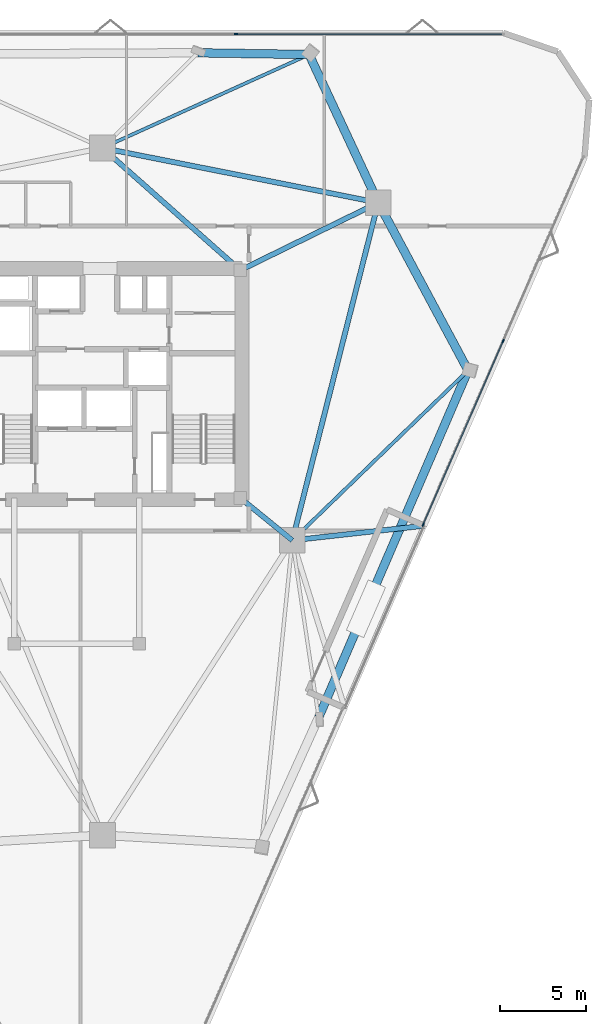
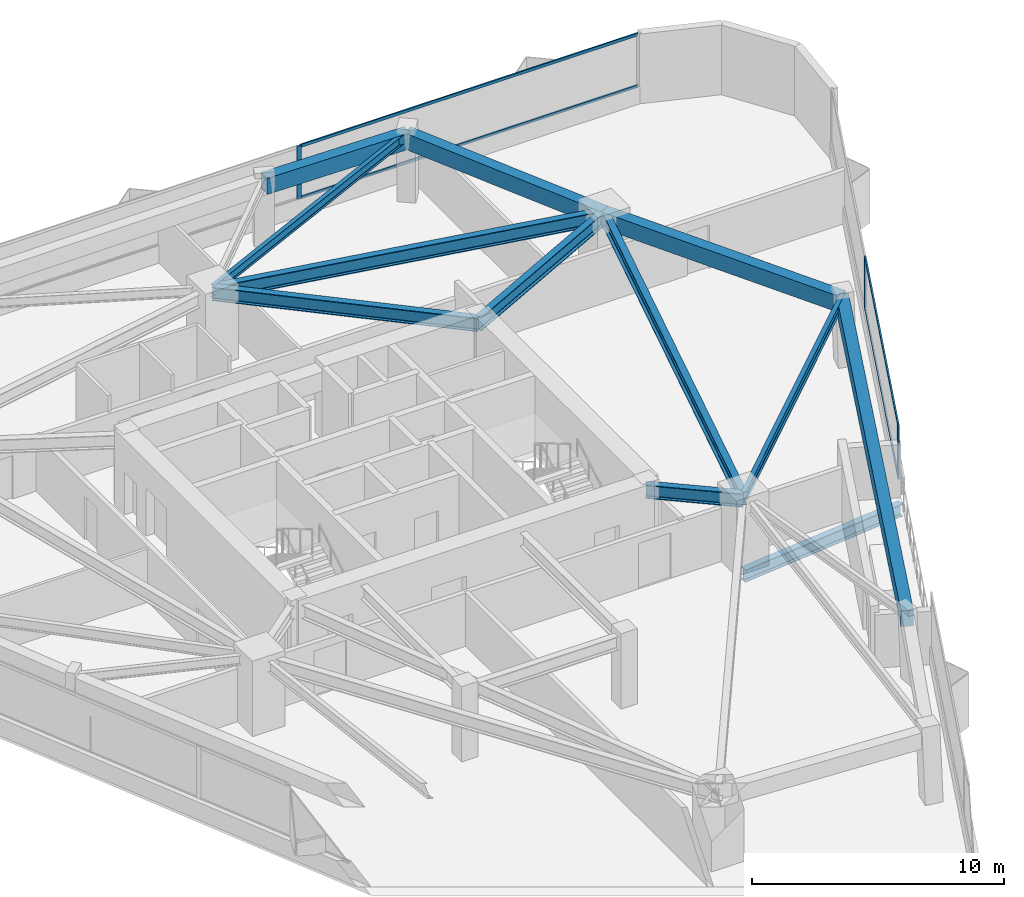
# One storey, part 6 of 11: 12 beams, 7 members, 2 elements without a shape of their own.
"""IFC4 building model written with IfcOpenShell, lengths in metres."""

from ifc_helpers import new_model, si_unit, direction, frame, origin, origin_2d, place, context, subcontext, project, spatial, rectangle, i_section, extrude, material, layer, layer_set, material_profile, profile_set, type_object, element, aggregate, save


model = new_model("IFC4")

# Units and contexts
model_context = context("Model", 3, precision=1e-05, world=origin(), true_north=direction((0.0, 1.0)))
body_context = subcontext(model_context, "Body", "Model", "MODEL_VIEW")
ifc_project = project(units=[si_unit("LENGTHUNIT", "METRE"), si_unit("AREAUNIT", "SQUARE_METRE"), si_unit("VOLUMEUNIT", "CUBIC_METRE"), si_unit("PLANEANGLEUNIT", "RADIAN"), si_unit("MASSUNIT", "GRAM", prefix="KILO")], contexts=[model_context])

# Site, building, storey
site_placement = place(None, origin())
site = spatial("IfcSite", under=ifc_project, at=site_placement, CompositionType="ELEMENT")
building_placement = place(site_placement, origin())
building = spatial("IfcBuilding", under=site, at=building_placement, Name="Talyreon Biosciences Tower", CompositionType="ELEMENT")
storey_placement = place(building_placement, frame((0.0, 0.0, 149.10009765625)))
storey = spatial("IfcBuildingStorey", under=building, at=storey_placement, Name="L39", CompositionType="ELEMENT", Elevation=149.10009765625)

# Curtain wall, member
ifc_material_1 = material(Name="Thermally broken aluminium and low-E glazing", Category="aluminium")
ifc_layer = layer(ifc_material_1, 0.205078125)
ifc_layer_set = layer_set([ifc_layer], Name="Thermally broken aluminium and low-E glazing")
curtain_wall_type = type_object("IfcCurtainWallType", Name="CurtainWall_SkyGardenLoggia", PredefinedType="NOTDEFINED", material=ifc_layer_set)
curtain_wall_1_placement = place(storey_placement, origin())
curtain_wall_1 = element("IfcCurtainWall", 1, at=curtain_wall_1_placement, inside=storey, type_object=curtain_wall_type, Name="L39 Unitised Curtain Wall FCW-L39-03", PredefinedType="NOTDEFINED")
ifc_material_2 = material(Name="Anodised thermally broken aluminium", Category="aluminium")
ifc_material_profile_1 = material_profile(ifc_material_2, rectangle(XDim=0.074951171875, YDim=0.2099609375, at=origin_2d()), Name="ALUM MULLION 75x210")
ifc_profile_set_1 = profile_set([ifc_material_profile_1], Name="Anodised thermally broken aluminium")
member_type_1 = type_object("IfcMemberType", Name="CWMullion_75x210", PredefinedType="MULLION", material=ifc_profile_set_1)
member_1_placement = place(storey_placement, frame((73.79736328125, 88.439453125, 0.809814453125), z_axis=(0.0, 0.0, 1.0), x_axis=(0.0, 1.0, 0.0)))
member_1 = element("IfcMember", 2, at=member_1_placement, type_object=member_type_1, Name="CW7 mullion 3", PredefinedType="MULLION", context=body_context, shape_type="SweptSolid", body=[
    extrude(rectangle(XDim=0.074951171875, YDim=0.2099609375, at=origin_2d()), origin(), (0.0, 0.0, 1.0), 2.565185546875),
])

# Curtain wall, members
curtain_wall_2_placement = place(storey_placement, origin())
curtain_wall_2 = element("IfcCurtainWall", 3, at=curtain_wall_2_placement, inside=storey, type_object=curtain_wall_type, Name="L39 Unitised Curtain Wall FCW-L39-07", PredefinedType="NOTDEFINED")
member_2_placement = place(storey_placement, frame((89.396728515625, 70.51953125, 0.809814453125), z_axis=(0.0, 0.0, 1.0), x_axis=(0.916646919811, -0.399697916434, 0.0)))
member_2 = element("IfcMember", 4, at=member_2_placement, type_object=member_type_1, Name="CW7 mullion 2", PredefinedType="MULLION", context=body_context, shape_type="SweptSolid", body=[
    extrude(rectangle(XDim=0.074951171875, YDim=0.2099609375, at=origin_2d()), origin(), (0.0, 0.0, 1.0), 2.565185546875),
])
member_3_placement = place(storey_placement, frame((84.72265625, 59.800537109375, 0.809814453125), z_axis=(0.0, 0.0, 1.0), x_axis=(0.916646919811, -0.399697916434, 0.0)))
member_3 = element("IfcMember", 5, at=member_3_placement, type_object=member_type_1, Name="CW7 mullion 3", PredefinedType="MULLION", context=body_context, shape_type="SweptSolid", body=[
    extrude(rectangle(XDim=0.074951171875, YDim=0.2099609375, at=origin_2d()), origin(), (0.0, 0.0, 1.0), 2.565185546875),
])

# Member
ifc_material_profile_2 = material_profile(ifc_material_2, rectangle(XDim=0.06494140625, YDim=0.139892578125, at=origin_2d()), Name="ALUM TRANSOM 65x140")
ifc_profile_set_2 = profile_set([ifc_material_profile_2], Name="Anodised thermally broken aluminium")
member_type_2 = type_object("IfcMemberType", Name="CWTransom_65x140", PredefinedType="USERDEFINED", material=ifc_profile_set_2)
member_4_placement = place(storey_placement, frame((73.8349609375, 88.439453125, 0.84228515625), z_axis=(1.0, 0.0, 0.0), x_axis=(0.0, 1.0, 0.0)))
member_4 = element("IfcMember", 6, at=member_4_placement, type_object=member_type_2, Name="CW7 transom 3.1", ObjectType="TRANSOM", PredefinedType="USERDEFINED", context=body_context, shape_type="SweptSolid", body=[
    extrude(rectangle(XDim=0.06494140625, YDim=0.139892578125, at=origin_2d()), origin(), (0.0, 0.0, 1.0), 15.482421875),
])

member_5_placement = place(storey_placement, frame((73.8349609375, 88.439453125, 3.34228515625), z_axis=(1.0, 0.0, 0.0), x_axis=(0.0, 1.0, 0.0)))
member_5 = element("IfcMember", 7, at=member_5_placement, type_object=member_type_2, Name="CW7 transom 3.2", ObjectType="TRANSOM", PredefinedType="USERDEFINED", context=body_context, shape_type="SweptSolid", body=[
    extrude(rectangle(XDim=0.06494140625, YDim=0.139892578125, at=origin_2d()), origin(), (0.0, 0.0, 1.0), 15.482421875),
])

aggregate(curtain_wall_1, [member_1, member_4, member_5])

member_6_placement = place(storey_placement, frame((89.381591796875, 70.485107421875, 0.84228515625), z_axis=(-0.399688648793, -0.916650960849, 0.0), x_axis=(0.916650960849, -0.399688648793, 0.0)))
member_6 = element("IfcMember", 8, at=member_6_placement, type_object=member_type_2, Name="CW7 transom 2.1", ObjectType="TRANSOM", PredefinedType="USERDEFINED", context=body_context, shape_type="SweptSolid", body=[
    extrude(rectangle(XDim=0.06494140625, YDim=0.139892578125, at=origin_2d()), origin(), (0.0, 0.0, 1.0), 11.61865234375),
])

member_7_placement = place(storey_placement, frame((89.381591796875, 70.485107421875, 3.34228515625), z_axis=(-0.399688648793, -0.916650960849, 0.0), x_axis=(0.916650960849, -0.399688648793, 0.0)))
member_7 = element("IfcMember", 9, at=member_7_placement, type_object=member_type_2, Name="CW7 transom 2.2", ObjectType="TRANSOM", PredefinedType="USERDEFINED", context=body_context, shape_type="SweptSolid", body=[
    extrude(rectangle(XDim=0.06494140625, YDim=0.139892578125, at=origin_2d()), origin(), (0.0, 0.0, 1.0), 11.61865234375),
])

aggregate(curtain_wall_2, [member_2, member_3, member_6, member_7])

# Beams
ifc_material_3 = material(Name="Precast concrete C45/55", Category="concrete")
ifc_material_profile_3 = material_profile(ifc_material_3, rectangle(XDim=0.5, YDim=0.780029296875, at=origin_2d()), Name="RCB 500x780")
ifc_profile_set_3 = profile_set([ifc_material_profile_3], Name="Precast concrete C45/55")
beam_type_1 = type_object("IfcBeamType", Name="ExpressedSpandrel_500x780", PredefinedType="SPANDREL", material=ifc_profile_set_3)
beam_1_placement = place(storey_placement, frame((78.62158203125, 48.539306640625, 2.98486328125), z_axis=(0.395475852543, 0.91847637425, 0.0), x_axis=(-0.91847637425, 0.395475852543, 0.0)))
element("IfcBeam", 10, at=beam_1_placement, inside=storey, type_object=beam_type_1, Name="L39 Expressed Horizontal Concrete Spandrel 03", PredefinedType="SPANDREL", context=body_context, shape_type="SweptSolid", body=[
    extrude(rectangle(XDim=0.5, YDim=0.780029296875, at=origin_2d()), origin(), (0.0, 0.0, 1.0), 22.064208984375),
])
beam_2_placement = place(storey_placement, frame((87.347412109375, 68.8046875, 2.98486328125), z_axis=(-0.472106764927, 0.881541378785, 0.0), x_axis=(-0.881541378785, -0.472106764927, 0.0)))
element("IfcBeam", 11, at=beam_2_placement, inside=storey, type_object=beam_type_1, Name="L39 Expressed Horizontal Concrete Spandrel 04", PredefinedType="SPANDREL", context=body_context, shape_type="SweptSolid", body=[
    extrude(rectangle(XDim=0.5, YDim=0.780029296875, at=origin_2d()), origin(), (0.0, 0.0, 1.0), 11.110107421875),
])
beam_3_placement = place(storey_placement, frame((82.102294921875, 78.5986328125, 2.98486328125), z_axis=(-0.422923275634, 0.906165494227, 0.0), x_axis=(-0.906165494227, -0.422923275634, 0.0)))
element("IfcBeam", 12, at=beam_3_placement, inside=storey, type_object=beam_type_1, Name="L39 Expressed Horizontal Concrete Spandrel 05", PredefinedType="SPANDREL", context=body_context, shape_type="SweptSolid", body=[
    extrude(rectangle(XDim=0.5, YDim=0.780029296875, at=origin_2d()), origin(), (0.0, 0.0, 1.0), 9.5439453125),
])
beam_4_placement = place(storey_placement, frame((78.06591796875, 87.2470703125, 2.98486328125), z_axis=(-0.999881339716, 0.015404755347, 0.0), x_axis=(-0.015404755347, -0.999881339716, 0.0)))
element("IfcBeam", 13, at=beam_4_placement, inside=storey, type_object=beam_type_1, Name="L39 Expressed Horizontal Concrete Spandrel 06", PredefinedType="SPANDREL", context=body_context, shape_type="SweptSolid", body=[
    extrude(rectangle(XDim=0.5, YDim=0.780029296875, at=origin_2d()), origin(), (0.0, 0.0, 1.0), 6.497802734375),
])
ifc_material_4 = material(Name="Steel SM355", Category="steel")
ifc_material_profile_4 = material_profile(ifc_material_4, i_section(OverallWidth=0.300048828125, OverallDepth=0.60009765625, WebThickness=0.015380859375, FlangeThickness=0.030029296875, FilletRadius=0.027099609375, at=origin_2d()), Name="HE600B")
ifc_profile_set_4 = profile_set([ifc_material_profile_4], Name="Steel SM355")
beam_type_2 = type_object("IfcBeamType", Name="SteelBeam_HE600B", PredefinedType="BEAM", material=ifc_profile_set_4)
beam_5_placement = place(storey_placement, frame((77.086181640625, 58.88037109375, -0.630126953125), z_axis=(0.99390102793, 0.110275775578, 0.0), x_axis=(-0.110275775578, 0.99390102793, 0.0)))
element("IfcBeam", 14, at=beam_5_placement, inside=storey, type_object=beam_type_2, Name="L39 Sky-Garden Terrace Edge Outrigger 2", PredefinedType="BEAM", context=body_context, shape_type="SweptSolid", body=[
    extrude(i_section(OverallWidth=0.300048828125, OverallDepth=0.60009765625, WebThickness=0.015380859375, FlangeThickness=0.030029296875, FilletRadius=0.027099609375, at=origin_2d()), origin(), (0.0, 0.0, 1.0), 7.741943359375),
])
ifc_material_profile_5 = material_profile(ifc_material_4, i_section(OverallWidth=0.300048828125, OverallDepth=0.64990234375, WebThickness=0.01611328125, FlangeThickness=0.031005859375, FilletRadius=0.027099609375, at=origin_2d()), Name="HE650B")
ifc_profile_set_5 = profile_set([ifc_material_profile_5], Name="Steel SM355")
beam_type_3 = type_object("IfcBeamType", Name="SteelBeam_HE650B", PredefinedType="BEAM", material=ifc_profile_set_5)
beam_6_placement = place(storey_placement, frame((77.086181640625, 58.88037109375, 3.0498046875), z_axis=(0.246537082299, 0.969133358755, 0.0), x_axis=(-0.969133358755, 0.246537082299, 0.0)))
element("IfcBeam", 15, at=beam_6_placement, inside=storey, type_object=beam_type_3, Name="L39 Mega-Ring Girder 2", PredefinedType="BEAM", context=body_context, shape_type="SweptSolid", body=[
    extrude(i_section(OverallWidth=0.300048828125, OverallDepth=0.64990234375, WebThickness=0.01611328125, FlangeThickness=0.031005859375, FilletRadius=0.027099609375, at=origin_2d()), origin(), (0.0, 0.0, 1.0), 20.34619140625),
])
beam_7_placement = place(storey_placement, frame((82.102294921875, 78.5986328125, 3.0498046875), z_axis=(-0.980933730698, 0.194342522311, 0.0), x_axis=(-0.194342522311, -0.980933730698, 0.0)))
element("IfcBeam", 16, at=beam_7_placement, inside=storey, type_object=beam_type_3, Name="L39 Mega-Ring Girder 3", PredefinedType="BEAM", context=body_context, shape_type="SweptSolid", body=[
    extrude(i_section(OverallWidth=0.300048828125, OverallDepth=0.64990234375, WebThickness=0.01611328125, FlangeThickness=0.031005859375, FilletRadius=0.027099609375, at=origin_2d()), origin(), (0.0, 0.0, 1.0), 16.415283203125),
])
beam_8_placement = place(storey_placement, frame((74.050048828125, 61.35009765625, 3.0498046875), z_axis=(0.775755154013, -0.631034025249, 0.0), x_axis=(0.631034025249, 0.775755154013, 0.0)))
element("IfcBeam", 17, at=beam_8_placement, inside=storey, type_object=beam_type_3, Name="L39 Radial Primary Girder 2", PredefinedType="BEAM", context=body_context, shape_type="SweptSolid", body=[
    extrude(i_section(OverallWidth=0.300048828125, OverallDepth=0.64990234375, WebThickness=0.01611328125, FlangeThickness=0.031005859375, FilletRadius=0.027099609375, at=origin_2d()), origin(), (0.0, 0.0, 1.0), 3.913818359375),
])
beam_9_placement = place(storey_placement, frame((74.050048828125, 74.64990234375, 3.0498046875), z_axis=(0.897852360314, 0.440296648952, 0.0), x_axis=(-0.440296648952, 0.897852360314, 0.0)))
element("IfcBeam", 18, at=beam_9_placement, inside=storey, type_object=beam_type_3, Name="L39 Radial Primary Girder 3", PredefinedType="BEAM", context=body_context, shape_type="SweptSolid", body=[
    extrude(i_section(OverallWidth=0.300048828125, OverallDepth=0.64990234375, WebThickness=0.01611328125, FlangeThickness=0.031005859375, FilletRadius=0.027099609375, at=origin_2d()), origin(), (0.0, 0.0, 1.0), 8.96826171875),
])
beam_10_placement = place(storey_placement, frame((74.050048828125, 74.64990234375, 3.0498046875), z_axis=(-0.748178733955, 0.663497235908, 0.0), x_axis=(-0.663497235908, -0.748178733955, 0.0)))
element("IfcBeam", 19, at=beam_10_placement, inside=storey, type_object=beam_type_3, Name="L39 Radial Primary Girder 4", PredefinedType="BEAM", context=body_context, shape_type="SweptSolid", body=[
    extrude(i_section(OverallWidth=0.300048828125, OverallDepth=0.64990234375, WebThickness=0.01611328125, FlangeThickness=0.031005859375, FilletRadius=0.027099609375, at=origin_2d()), origin(), (0.0, 0.0, 1.0), 10.759521484375),
])
ifc_material_profile_6 = material_profile(ifc_material_4, i_section(OverallWidth=0.18994140625, OverallDepth=0.449951171875, WebThickness=0.009521484375, FlangeThickness=0.0146484375, FilletRadius=0.02099609375, at=origin_2d()), Name="IPE450")
ifc_profile_set_6 = profile_set([ifc_material_profile_6], Name="Steel SM355")
beam_type_4 = type_object("IfcBeamType", Name="SteelJoist_IPE450", PredefinedType="JOIST", material=ifc_profile_set_6)
beam_11_placement = place(storey_placement, frame((66.0, 81.788818359375, 3.14990234375), z_axis=(0.911111878806, 0.412159124974, 0.0), x_axis=(-0.412159124974, 0.911111878806, 0.0)))
element("IfcBeam", 20, at=beam_11_placement, inside=storey, type_object=beam_type_4, Name="L39 Radial Composite Floor Joist PC-N1", PredefinedType="JOIST", context=body_context, shape_type="SweptSolid", body=[
    extrude(i_section(OverallWidth=0.18994140625, OverallDepth=0.449951171875, WebThickness=0.009521484375, FlangeThickness=0.0146484375, FilletRadius=0.02099609375, at=origin_2d()), origin(), (0.0, 0.0, 1.0), 13.2431640625),
])
ifc_material_profile_7 = material_profile(ifc_material_4, i_section(OverallWidth=0.199951171875, OverallDepth=0.5, WebThickness=0.01025390625, FlangeThickness=0.01611328125, FilletRadius=0.02099609375, at=origin_2d()), Name="IPE500")
ifc_profile_set_7 = profile_set([ifc_material_profile_7], Name="Steel SM355")
beam_type_5 = type_object("IfcBeamType", Name="SteelJoist_IPE500", PredefinedType="JOIST", material=ifc_profile_set_7)
beam_12_placement = place(storey_placement, frame((77.086181640625, 58.88037109375, 3.125), z_axis=(0.718808881269, 0.695207733133, 0.0), x_axis=(-0.695207733133, 0.718808881269, 0.0)))
element("IfcBeam", 21, at=beam_12_placement, inside=storey, type_object=beam_type_5, Name="L39 Radial Composite Floor Joist PC-SE2", PredefinedType="JOIST", context=body_context, shape_type="SweptSolid", body=[
    extrude(i_section(OverallWidth=0.199951171875, OverallDepth=0.5, WebThickness=0.01025390625, FlangeThickness=0.01611328125, FilletRadius=0.02099609375, at=origin_2d()), origin(), (0.0, 0.0, 1.0), 14.275390625),
])

save(model, "model.ifc")
